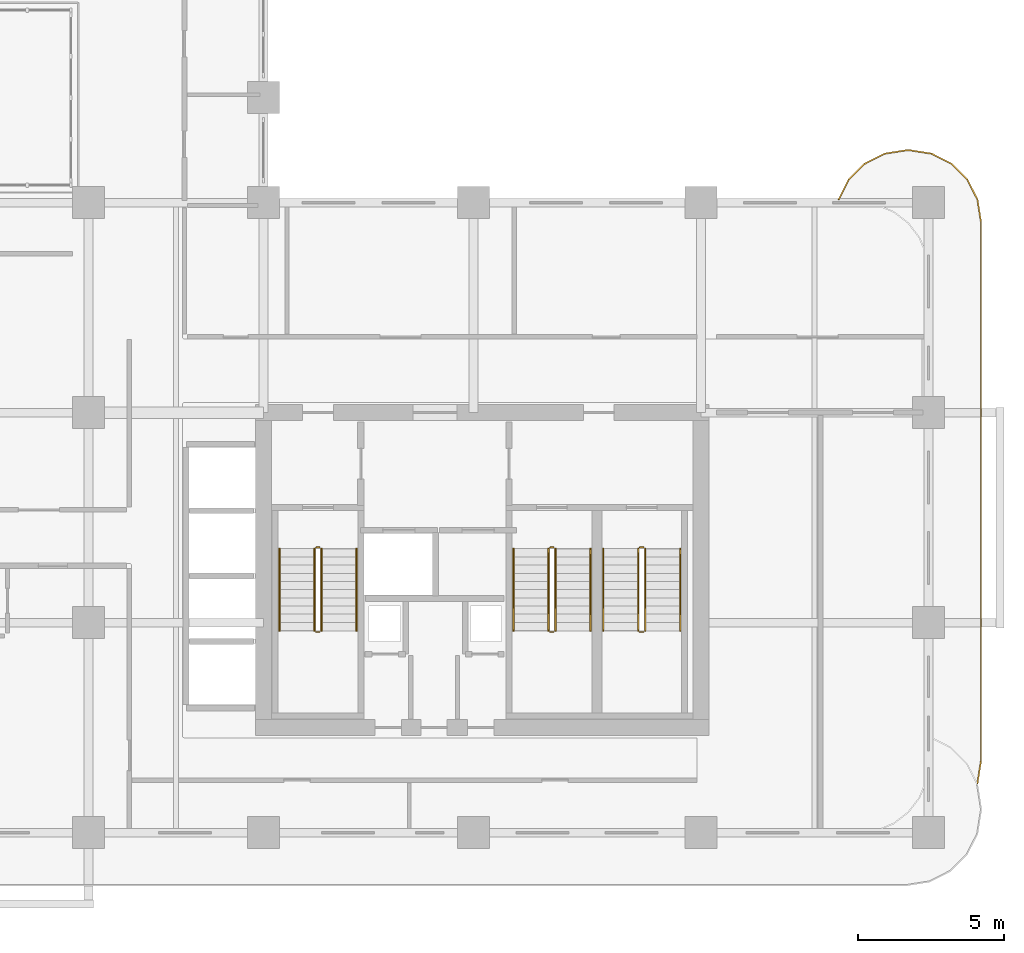
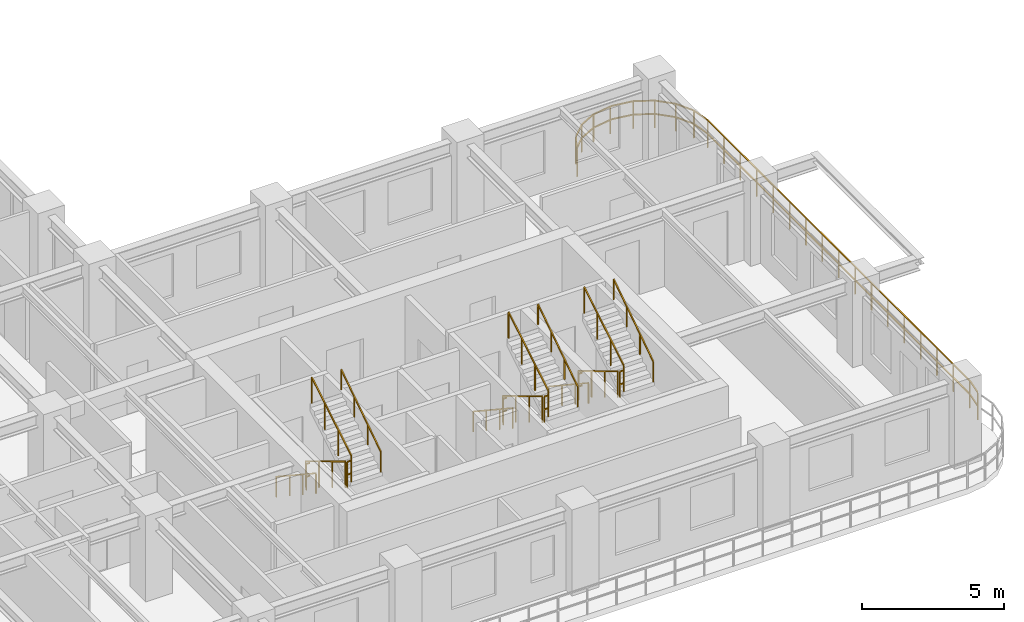
# One storey, part 20 of 22: 19 railings.
"""IFC4 building model written with IfcOpenShell, lengths in metres."""

from ifc_helpers import new_model, si_unit, derived_unit, direction, frame, origin, origin_2d, place, context, subcontext, project, spatial, rectangle, extrude, material, type_object, element, save


model = new_model("IFC4")

# Units and contexts
model_context = context("Model", 3, precision=1e-05, world=origin(), true_north=direction((0.0, 1.0)))
body_context = subcontext(model_context, "Body", "Model", "MODEL_VIEW")
ifc_project = project(units=[si_unit("LENGTHUNIT", "METRE"), si_unit("AREAUNIT", "SQUARE_METRE"), si_unit("VOLUMEUNIT", "CUBIC_METRE"), si_unit("PLANEANGLEUNIT", "RADIAN"), si_unit("MASSUNIT", "GRAM", prefix="KILO"), si_unit("THERMODYNAMICTEMPERATUREUNIT", "KELVIN"), si_unit("POWERUNIT", "WATT"), derived_unit("THERMALTRANSMITTANCEUNIT", [(si_unit("POWERUNIT", "WATT"), 1), (si_unit("AREAUNIT", "SQUARE_METRE"), -1), (si_unit("THERMODYNAMICTEMPERATUREUNIT", "KELVIN"), -1)])], contexts=[model_context])

# Site, building, storey
site_placement = place(None, origin())
site = spatial("IfcSite", under=ifc_project, at=site_placement, CompositionType="ELEMENT")
building_placement = place(site_placement, origin())
building = spatial("IfcBuilding", under=site, at=building_placement, Name="Zahravan Archway Hotel and Residences", CompositionType="ELEMENT")
storey_placement = place(building_placement, frame((0.0, 0.0, 95.300048828125)))
storey = spatial("IfcBuildingStorey", under=building, at=storey_placement, Name="L23", CompositionType="ELEMENT", Elevation=95.300048828125)

# Railings
ifc_material_1 = material(Name="Bronze & Laminated Glass Balustrade", Category="glass")
railing_type_1 = type_object("IfcRailingType", Name="RL-BAL-1200", PredefinedType="BALUSTRADE", material=ifc_material_1)
railing_1_placement = place(storey_placement, frame((54.52001953125, 21.70703125, 0.0)))
element("IfcRailing", 1, at=railing_1_placement, inside=storey, type_object=railing_type_1, Name="L23 Balustrade RL-SLB-BAL-L23-EA-1", PredefinedType="BALUSTRADE", context=body_context, shape_type="SweptSolid", body=[
    extrude(rectangle(XDim=0.048095703125, YDim=0.048095703125, at=origin_2d()), frame((0.0, 0.0, 1.17578125), z_axis=(0.453825591531, 0.891090529897, 0.0), x_axis=(-0.891090529897, 0.453825591531, 0.0)), (0.0, 0.0, 1.0), 0.7666015625),
    extrude(rectangle(XDim=0.048095703125, YDim=0.048095703125, at=origin_2d()), frame((0.0, 0.0, 0.60009765625), z_axis=(0.453825591531, 0.891090529897, 0.0), x_axis=(-0.891090529897, 0.453825591531, 0.0)), (0.0, 0.0, 1.0), 0.7666015625),
    extrude(rectangle(XDim=0.048095703125, YDim=0.048095703125, at=origin_2d()), frame((0.347900390625, 0.68310546875, 1.17578125), z_axis=(0.707106781187, 0.707106781187, 0.0), x_axis=(-0.707106781187, 0.707106781187, 0.0)), (0.0, 0.0, 1.0), 0.7666015625),
    extrude(rectangle(XDim=0.048095703125, YDim=0.048095703125, at=origin_2d()), frame((0.347900390625, 0.68310546875, 0.60009765625), z_axis=(0.707106781187, 0.707106781187, 0.0), x_axis=(-0.707106781187, 0.707106781187, 0.0)), (0.0, 0.0, 1.0), 0.7666015625),
    extrude(rectangle(XDim=0.048095703125, YDim=0.048095703125, at=origin_2d()), frame((0.889892578125, 1.22509765625, 1.17578125), z_axis=(0.891090529897, 0.453825591531, 0.0), x_axis=(-0.453825591531, 0.891090529897, 0.0)), (0.0, 0.0, 1.0), 0.7666015625),
    extrude(rectangle(XDim=0.048095703125, YDim=0.048095703125, at=origin_2d()), frame((0.889892578125, 1.22509765625, 0.60009765625), z_axis=(0.891090529897, 0.453825591531, 0.0), x_axis=(-0.453825591531, 0.891090529897, 0.0)), (0.0, 0.0, 1.0), 0.7666015625),
    extrude(rectangle(XDim=0.048095703125, YDim=0.048095703125, at=origin_2d()), frame((1.572998046875, 1.572998046875, 1.17578125), z_axis=(0.987695728695, 0.156387811283, 0.0), x_axis=(-0.156387811283, 0.987695728695, 0.0)), (0.0, 0.0, 1.0), 0.7666015625),
    extrude(rectangle(XDim=0.048095703125, YDim=0.048095703125, at=origin_2d()), frame((1.572998046875, 1.572998046875, 0.60009765625), z_axis=(0.987695728695, 0.156387811283, 0.0), x_axis=(-0.156387811283, 0.987695728695, 0.0)), (0.0, 0.0, 1.0), 0.7666015625),
    extrude(rectangle(XDim=0.048095703125, YDim=0.048095703125, at=origin_2d()), frame((2.330078125, 1.69287109375, 1.17578125), z_axis=(1.0, 0.0, 0.0), x_axis=(0.0, 1.0, 0.0)), (0.0, 0.0, 1.0), 0.099853515625),
    extrude(rectangle(XDim=0.048095703125, YDim=0.048095703125, at=origin_2d()), frame((2.330078125, 1.69287109375, 0.60009765625), z_axis=(1.0, 0.0, 0.0), x_axis=(0.0, 1.0, 0.0)), (0.0, 0.0, 1.0), 0.099853515625),
    extrude(rectangle(XDim=0.048095703125, YDim=0.048095703125, at=origin_2d()), frame((2.429931640625, 1.69287109375, 1.17578125), z_axis=(0.987695728695, -0.156387811283, 0.0), x_axis=(0.156387811283, 0.987695728695, 0.0)), (0.0, 0.0, 1.0), 0.7666015625),
    extrude(rectangle(XDim=0.048095703125, YDim=0.048095703125, at=origin_2d()), frame((2.429931640625, 1.69287109375, 0.60009765625), z_axis=(0.987695728695, -0.156387811283, 0.0), x_axis=(0.156387811283, 0.987695728695, 0.0)), (0.0, 0.0, 1.0), 0.7666015625),
    extrude(rectangle(XDim=0.048095703125, YDim=0.048095703125, at=origin_2d()), frame((3.18701171875, 1.572998046875, 1.17578125), z_axis=(0.891090529897, -0.453825591531, 0.0), x_axis=(0.453825591531, 0.891090529897, 0.0)), (0.0, 0.0, 1.0), 0.7666015625),
    extrude(rectangle(XDim=0.048095703125, YDim=0.048095703125, at=origin_2d()), frame((3.18701171875, 1.572998046875, 0.60009765625), z_axis=(0.891090529897, -0.453825591531, 0.0), x_axis=(0.453825591531, 0.891090529897, 0.0)), (0.0, 0.0, 1.0), 0.7666015625),
    extrude(rectangle(XDim=0.048095703125, YDim=0.048095703125, at=origin_2d()), frame((3.8701171875, 1.22509765625, 1.17578125), z_axis=(0.707106781187, -0.707106781187, 0.0), x_axis=(0.707106781187, 0.707106781187, 0.0)), (0.0, 0.0, 1.0), 0.7666015625),
    extrude(rectangle(XDim=0.048095703125, YDim=0.048095703125, at=origin_2d()), frame((3.8701171875, 1.22509765625, 0.60009765625), z_axis=(0.707106781187, -0.707106781187, 0.0), x_axis=(0.707106781187, 0.707106781187, 0.0)), (0.0, 0.0, 1.0), 0.7666015625),
    extrude(rectangle(XDim=0.048095703125, YDim=0.048095703125, at=origin_2d()), frame((4.412109375, 0.68310546875, 1.17578125), z_axis=(0.453825591531, -0.891090529897, 0.0), x_axis=(0.891090529897, 0.453825591531, 0.0)), (0.0, 0.0, 1.0), 0.7666015625),
    extrude(rectangle(XDim=0.048095703125, YDim=0.048095703125, at=origin_2d()), frame((4.412109375, 0.68310546875, 0.60009765625), z_axis=(0.453825591531, -0.891090529897, 0.0), x_axis=(0.891090529897, 0.453825591531, 0.0)), (0.0, 0.0, 1.0), 0.7666015625),
    extrude(rectangle(XDim=0.048095703125, YDim=0.048095703125, at=origin_2d()), frame((4.760009765625, 0.0, 1.17578125), z_axis=(0.156387811283, -0.987695728695, 0.0), x_axis=(0.987695728695, 0.156387811283, 0.0)), (0.0, 0.0, 1.0), 0.7666015625),
    extrude(rectangle(XDim=0.048095703125, YDim=0.048095703125, at=origin_2d()), frame((4.760009765625, 0.0, 0.60009765625), z_axis=(0.156387811283, -0.987695728695, 0.0), x_axis=(0.987695728695, 0.156387811283, 0.0)), (0.0, 0.0, 1.0), 0.7666015625),
    extrude(rectangle(XDim=0.048095703125, YDim=0.048095703125, at=origin_2d()), frame((4.8798828125, -0.757080078125, 1.17578125), z_axis=(0.0, -1.0, 0.0), x_axis=(1.0, 0.0, 0.0)), (0.0, 0.0, 1.0), 18.5),
    extrude(rectangle(XDim=0.048095703125, YDim=0.048095703125, at=origin_2d()), frame((4.8798828125, -0.757080078125, 0.60009765625), z_axis=(0.0, -1.0, 0.0), x_axis=(1.0, 0.0, 0.0)), (0.0, 0.0, 1.0), 18.5),
    extrude(rectangle(XDim=0.048095703125, YDim=0.048095703125, at=origin_2d()), frame((4.8798828125, -19.257080078125, 1.17578125), z_axis=(-0.156387811283, -0.987695728695, 0.0), x_axis=(0.987695728695, -0.156387811283, 0.0)), (0.0, 0.0, 1.0), 0.7666015625),
    extrude(rectangle(XDim=0.048095703125, YDim=0.048095703125, at=origin_2d()), frame((4.8798828125, -19.257080078125, 0.60009765625), z_axis=(-0.156387811283, -0.987695728695, 0.0), x_axis=(0.987695728695, -0.156387811283, 0.0)), (0.0, 0.0, 1.0), 0.7666015625),
    extrude(rectangle(XDim=0.0419921875, YDim=0.0419921875, at=origin_2d()), origin(), (0.0, 0.0, 1.0), 1.15185546875),
    extrude(rectangle(XDim=0.0419921875, YDim=0.0419921875, at=origin_2d()), frame((0.347900390625, 0.68310546875, 0.0)), (0.0, 0.0, 1.0), 1.15185546875),
    extrude(rectangle(XDim=0.0419921875, YDim=0.0419921875, at=origin_2d()), frame((0.889892578125, 1.22509765625, 0.0)), (0.0, 0.0, 1.0), 1.15185546875),
    extrude(rectangle(XDim=0.0419921875, YDim=0.0419921875, at=origin_2d()), frame((1.572998046875, 1.572998046875, 0.0)), (0.0, 0.0, 1.0), 1.15185546875),
    extrude(rectangle(XDim=0.0419921875, YDim=0.0419921875, at=origin_2d()), frame((2.330078125, 1.69287109375, 0.0)), (0.0, 0.0, 1.0), 1.15185546875),
    extrude(rectangle(XDim=0.0419921875, YDim=0.0419921875, at=origin_2d()), frame((3.18701171875, 1.572998046875, 0.0)), (0.0, 0.0, 1.0), 1.15185546875),
    extrude(rectangle(XDim=0.0419921875, YDim=0.0419921875, at=origin_2d()), frame((3.8701171875, 1.22509765625, 0.0)), (0.0, 0.0, 1.0), 1.15185546875),
    extrude(rectangle(XDim=0.0419921875, YDim=0.0419921875, at=origin_2d()), frame((4.412109375, 0.68310546875, 0.0)), (0.0, 0.0, 1.0), 1.15185546875),
    extrude(rectangle(XDim=0.0419921875, YDim=0.0419921875, at=origin_2d()), frame((4.760009765625, 0.0, 0.0)), (0.0, 0.0, 1.0), 1.15185546875),
    extrude(rectangle(XDim=0.0419921875, YDim=0.0419921875, at=origin_2d()), frame((4.8798828125, -0.757080078125, 0.0)), (0.0, 0.0, 1.0), 1.15185546875),
    extrude(rectangle(XDim=0.0419921875, YDim=0.0419921875, at=origin_2d()), frame((4.8798828125, -1.913330078125, 0.0)), (0.0, 0.0, 1.0), 1.15185546875),
    extrude(rectangle(XDim=0.0419921875, YDim=0.0419921875, at=origin_2d()), frame((4.8798828125, -3.069580078125, 0.0)), (0.0, 0.0, 1.0), 1.15185546875),
    extrude(rectangle(XDim=0.0419921875, YDim=0.0419921875, at=origin_2d()), frame((4.8798828125, -4.225830078125, 0.0)), (0.0, 0.0, 1.0), 1.15185546875),
    extrude(rectangle(XDim=0.0419921875, YDim=0.0419921875, at=origin_2d()), frame((4.8798828125, -5.382080078125, 0.0)), (0.0, 0.0, 1.0), 1.15185546875),
    extrude(rectangle(XDim=0.0419921875, YDim=0.0419921875, at=origin_2d()), frame((4.8798828125, -6.538330078125, 0.0)), (0.0, 0.0, 1.0), 1.15185546875),
    extrude(rectangle(XDim=0.0419921875, YDim=0.0419921875, at=origin_2d()), frame((4.8798828125, -7.694580078125, 0.0)), (0.0, 0.0, 1.0), 1.15185546875),
    extrude(rectangle(XDim=0.0419921875, YDim=0.0419921875, at=origin_2d()), frame((4.8798828125, -8.850830078125, 0.0)), (0.0, 0.0, 1.0), 1.15185546875),
    extrude(rectangle(XDim=0.0419921875, YDim=0.0419921875, at=origin_2d()), frame((4.8798828125, -10.007080078125, 0.0)), (0.0, 0.0, 1.0), 1.15185546875),
    extrude(rectangle(XDim=0.0419921875, YDim=0.0419921875, at=origin_2d()), frame((4.8798828125, -11.163330078125, 0.0)), (0.0, 0.0, 1.0), 1.15185546875),
    extrude(rectangle(XDim=0.0419921875, YDim=0.0419921875, at=origin_2d()), frame((4.8798828125, -12.319580078125, 0.0)), (0.0, 0.0, 1.0), 1.15185546875),
    extrude(rectangle(XDim=0.0419921875, YDim=0.0419921875, at=origin_2d()), frame((4.8798828125, -13.475830078125, 0.0)), (0.0, 0.0, 1.0), 1.15185546875),
    extrude(rectangle(XDim=0.0419921875, YDim=0.0419921875, at=origin_2d()), frame((4.8798828125, -14.632080078125, 0.0)), (0.0, 0.0, 1.0), 1.15185546875),
    extrude(rectangle(XDim=0.0419921875, YDim=0.0419921875, at=origin_2d()), frame((4.8798828125, -15.788330078125, 0.0)), (0.0, 0.0, 1.0), 1.15185546875),
    extrude(rectangle(XDim=0.0419921875, YDim=0.0419921875, at=origin_2d()), frame((4.8798828125, -16.944580078125, 0.0)), (0.0, 0.0, 1.0), 1.15185546875),
    extrude(rectangle(XDim=0.0419921875, YDim=0.0419921875, at=origin_2d()), frame((4.8798828125, -18.100830078125, 0.0)), (0.0, 0.0, 1.0), 1.15185546875),
    extrude(rectangle(XDim=0.0419921875, YDim=0.0419921875, at=origin_2d()), frame((4.8798828125, -19.257080078125, 0.0)), (0.0, 0.0, 1.0), 1.15185546875),
    extrude(rectangle(XDim=0.0419921875, YDim=0.0419921875, at=origin_2d()), frame((4.760009765625, -20.01416015625, 0.0)), (0.0, 0.0, 1.0), 1.15185546875),
])
ifc_material_2 = material(Name="Painted Tubular Steel", Category="steel")
railing_type_2 = type_object("IfcRailingType", Name="RL-STG-1150", PredefinedType="GUARDRAIL", material=ifc_material_2)
railing_2_placement = place(storey_placement, frame((36.550048828125, 9.72998046875, 0.168212890625)))
element("IfcRailing", 2, at=railing_2_placement, inside=storey, type_object=railing_type_2, Name="L23 ST-A1 stair guard 1", PredefinedType="GUARDRAIL", context=body_context, shape_type="SweptSolid", body=[
    extrude(rectangle(XDim=0.048095703125, YDim=0.048095703125, at=origin_2d()), frame((0.0, 0.0, 1.1259765625), z_axis=(0.0, -0.857275202839, 0.514858452973), x_axis=(1.0, 0.0, 0.0)), (0.0, 0.0, 1.0), 3.26611328125),
    extrude(rectangle(XDim=0.0419921875, YDim=0.0419921875, at=origin_2d()), origin(), (0.0, 0.0, 1.0), 1.101806640625),
    extrude(rectangle(XDim=0.0419921875, YDim=0.0419921875, at=origin_2d()), frame((0.0, -0.933349609375, 0.560546875)), (0.0, 0.0, 1.0), 1.101806640625),
    extrude(rectangle(XDim=0.0419921875, YDim=0.0419921875, at=origin_2d()), frame((0.0, -1.86669921875, 1.12109375)), (0.0, 0.0, 1.0), 1.101806640625),
    extrude(rectangle(XDim=0.0419921875, YDim=0.0419921875, at=origin_2d()), frame((0.0, -2.800048828125, 1.681640625)), (0.0, 0.0, 1.0), 1.101806640625),
])
railing_3_placement = place(storey_placement, frame((36.60009765625, 6.8798828125, 1.849853515625)))
element("IfcRailing", 3, at=railing_3_placement, inside=storey, type_object=railing_type_2, Name="L23 ST-A1 stair guard 2", PredefinedType="GUARDRAIL", context=body_context, shape_type="SweptSolid", body=[
    extrude(rectangle(XDim=0.048095703125, YDim=0.048095703125, at=origin_2d()), frame((0.0, 0.0, 1.1259765625), z_axis=(1.0, 0.0, 0.0), x_axis=(0.0, 1.0, 0.0)), (0.0, 0.0, 1.0), 0.139892578125),
    extrude(rectangle(XDim=0.048095703125, YDim=0.048095703125, at=origin_2d()), frame((0.0, 0.0, 0.574951171875), z_axis=(1.0, 0.0, 0.0), x_axis=(0.0, 1.0, 0.0)), (0.0, 0.0, 1.0), 0.139892578125),
    extrude(rectangle(XDim=0.0419921875, YDim=0.0419921875, at=origin_2d()), origin(), (0.0, 0.0, 1.0), 1.101806640625),
])
railing_4_placement = place(storey_placement, frame((36.7900390625, 6.929931640625, 2.01806640625)))
element("IfcRailing", 4, at=railing_4_placement, inside=storey, type_object=railing_type_2, Name="L23 ST-A1 stair guard 3", PredefinedType="GUARDRAIL", context=body_context, shape_type="SweptSolid", body=[
    extrude(rectangle(XDim=0.048095703125, YDim=0.048095703125, at=origin_2d()), frame((0.0, 0.0, 1.1259765625), z_axis=(0.0, 0.857242210791, 0.514913383045), x_axis=(-1.0, 0.0, 0.0)), (0.0, 0.0, 1.0), 3.266357421875),
    extrude(rectangle(XDim=0.0419921875, YDim=0.0419921875, at=origin_2d()), origin(), (0.0, 0.0, 1.0), 1.101806640625),
    extrude(rectangle(XDim=0.0419921875, YDim=0.0419921875, at=origin_2d()), frame((0.0, 0.933349609375, 0.560546875)), (0.0, 0.0, 1.0), 1.101806640625),
    extrude(rectangle(XDim=0.0419921875, YDim=0.0419921875, at=origin_2d()), frame((0.0, 1.86669921875, 1.121337890625)), (0.0, 0.0, 1.0), 1.101806640625),
    extrude(rectangle(XDim=0.0419921875, YDim=0.0419921875, at=origin_2d()), frame((0.0, 2.800048828125, 1.681884765625)), (0.0, 0.0, 1.0), 1.101806640625),
])
railing_5_placement = place(storey_placement, frame((36.60009765625, 9.780029296875, 0.0)))
element("IfcRailing", 5, at=railing_5_placement, inside=storey, type_object=railing_type_2, Name="L23 ST-A1 stair guard 4", PredefinedType="GUARDRAIL", context=body_context, shape_type="SweptSolid", body=[
    extrude(rectangle(XDim=0.048095703125, YDim=0.048095703125, at=origin_2d()), frame((0.0, 0.0, 1.1259765625), z_axis=(1.0, 0.0, 0.0), x_axis=(0.0, 1.0, 0.0)), (0.0, 0.0, 1.0), 0.139892578125),
    extrude(rectangle(XDim=0.048095703125, YDim=0.048095703125, at=origin_2d()), frame((0.0, 0.0, 0.574951171875), z_axis=(1.0, 0.0, 0.0), x_axis=(0.0, 1.0, 0.0)), (0.0, 0.0, 1.0), 0.139892578125),
    extrude(rectangle(XDim=0.0419921875, YDim=0.0419921875, at=origin_2d()), origin(), (0.0, 0.0, 1.0), 1.101806640625),
])
railing_6_placement = place(storey_placement, frame((44.570068359375, 9.72998046875, 0.168212890625)))
element("IfcRailing", 6, at=railing_6_placement, inside=storey, type_object=railing_type_2, Name="L23 ST-A2 stair guard 1", PredefinedType="GUARDRAIL", context=body_context, shape_type="SweptSolid", body=[
    extrude(rectangle(XDim=0.048095703125, YDim=0.048095703125, at=origin_2d()), frame((0.0, 0.0, 1.1259765625), z_axis=(0.0, -0.857275202839, 0.514858452973), x_axis=(1.0, 0.0, 0.0)), (0.0, 0.0, 1.0), 3.26611328125),
    extrude(rectangle(XDim=0.0419921875, YDim=0.0419921875, at=origin_2d()), origin(), (0.0, 0.0, 1.0), 1.101806640625),
    extrude(rectangle(XDim=0.0419921875, YDim=0.0419921875, at=origin_2d()), frame((0.0, -0.933349609375, 0.560546875)), (0.0, 0.0, 1.0), 1.101806640625),
    extrude(rectangle(XDim=0.0419921875, YDim=0.0419921875, at=origin_2d()), frame((0.0, -1.86669921875, 1.12109375)), (0.0, 0.0, 1.0), 1.101806640625),
    extrude(rectangle(XDim=0.0419921875, YDim=0.0419921875, at=origin_2d()), frame((0.0, -2.800048828125, 1.681640625)), (0.0, 0.0, 1.0), 1.101806640625),
])
railing_7_placement = place(storey_placement, frame((44.6201171875, 6.8798828125, 1.849853515625)))
element("IfcRailing", 7, at=railing_7_placement, inside=storey, type_object=railing_type_2, Name="L23 ST-A2 stair guard 2", PredefinedType="GUARDRAIL", context=body_context, shape_type="SweptSolid", body=[
    extrude(rectangle(XDim=0.048095703125, YDim=0.048095703125, at=origin_2d()), frame((0.0, 0.0, 1.1259765625), z_axis=(1.0, 0.0, 0.0), x_axis=(0.0, 1.0, 0.0)), (0.0, 0.0, 1.0), 0.139892578125),
    extrude(rectangle(XDim=0.048095703125, YDim=0.048095703125, at=origin_2d()), frame((0.0, 0.0, 0.574951171875), z_axis=(1.0, 0.0, 0.0), x_axis=(0.0, 1.0, 0.0)), (0.0, 0.0, 1.0), 0.139892578125),
    extrude(rectangle(XDim=0.0419921875, YDim=0.0419921875, at=origin_2d()), origin(), (0.0, 0.0, 1.0), 1.101806640625),
])
railing_8_placement = place(storey_placement, frame((44.81005859375, 6.929931640625, 2.01806640625)))
element("IfcRailing", 8, at=railing_8_placement, inside=storey, type_object=railing_type_2, Name="L23 ST-A2 stair guard 3", PredefinedType="GUARDRAIL", context=body_context, shape_type="SweptSolid", body=[
    extrude(rectangle(XDim=0.048095703125, YDim=0.048095703125, at=origin_2d()), frame((0.0, 0.0, 1.1259765625), z_axis=(0.0, 0.857242210791, 0.514913383045), x_axis=(-1.0, 0.0, 0.0)), (0.0, 0.0, 1.0), 3.266357421875),
    extrude(rectangle(XDim=0.0419921875, YDim=0.0419921875, at=origin_2d()), origin(), (0.0, 0.0, 1.0), 1.101806640625),
    extrude(rectangle(XDim=0.0419921875, YDim=0.0419921875, at=origin_2d()), frame((0.0, 0.933349609375, 0.560546875)), (0.0, 0.0, 1.0), 1.101806640625),
    extrude(rectangle(XDim=0.0419921875, YDim=0.0419921875, at=origin_2d()), frame((0.0, 1.86669921875, 1.121337890625)), (0.0, 0.0, 1.0), 1.101806640625),
    extrude(rectangle(XDim=0.0419921875, YDim=0.0419921875, at=origin_2d()), frame((0.0, 2.800048828125, 1.681884765625)), (0.0, 0.0, 1.0), 1.101806640625),
])
railing_9_placement = place(storey_placement, frame((44.6201171875, 9.780029296875, 0.0)))
element("IfcRailing", 9, at=railing_9_placement, inside=storey, type_object=railing_type_2, Name="L23 ST-A2 stair guard 4", PredefinedType="GUARDRAIL", context=body_context, shape_type="SweptSolid", body=[
    extrude(rectangle(XDim=0.048095703125, YDim=0.048095703125, at=origin_2d()), frame((0.0, 0.0, 1.1259765625), z_axis=(1.0, 0.0, 0.0), x_axis=(0.0, 1.0, 0.0)), (0.0, 0.0, 1.0), 0.139892578125),
    extrude(rectangle(XDim=0.048095703125, YDim=0.048095703125, at=origin_2d()), frame((0.0, 0.0, 0.574951171875), z_axis=(1.0, 0.0, 0.0), x_axis=(0.0, 1.0, 0.0)), (0.0, 0.0, 1.0), 0.139892578125),
    extrude(rectangle(XDim=0.0419921875, YDim=0.0419921875, at=origin_2d()), origin(), (0.0, 0.0, 1.0), 1.101806640625),
])
railing_10_placement = place(storey_placement, frame((47.64990234375, 9.72998046875, 0.168212890625)))
element("IfcRailing", 10, at=railing_10_placement, inside=storey, type_object=railing_type_2, Name="L23 ST-A3 stair guard 1", PredefinedType="GUARDRAIL", context=body_context, shape_type="SweptSolid", body=[
    extrude(rectangle(XDim=0.048095703125, YDim=0.048095703125, at=origin_2d()), frame((0.0, 0.0, 1.1259765625), z_axis=(0.0, -0.857275202839, 0.514858452973), x_axis=(1.0, 0.0, 0.0)), (0.0, 0.0, 1.0), 3.26611328125),
    extrude(rectangle(XDim=0.0419921875, YDim=0.0419921875, at=origin_2d()), origin(), (0.0, 0.0, 1.0), 1.101806640625),
    extrude(rectangle(XDim=0.0419921875, YDim=0.0419921875, at=origin_2d()), frame((0.0, -0.933349609375, 0.560546875)), (0.0, 0.0, 1.0), 1.101806640625),
    extrude(rectangle(XDim=0.0419921875, YDim=0.0419921875, at=origin_2d()), frame((0.0, -1.86669921875, 1.12109375)), (0.0, 0.0, 1.0), 1.101806640625),
    extrude(rectangle(XDim=0.0419921875, YDim=0.0419921875, at=origin_2d()), frame((0.0, -2.800048828125, 1.681640625)), (0.0, 0.0, 1.0), 1.101806640625),
])
railing_11_placement = place(storey_placement, frame((47.699951171875, 6.8798828125, 1.849853515625)))
element("IfcRailing", 11, at=railing_11_placement, inside=storey, type_object=railing_type_2, Name="L23 ST-A3 stair guard 2", PredefinedType="GUARDRAIL", context=body_context, shape_type="SweptSolid", body=[
    extrude(rectangle(XDim=0.048095703125, YDim=0.048095703125, at=origin_2d()), frame((0.0, 0.0, 1.1259765625), z_axis=(1.0, 0.0, 0.0), x_axis=(0.0, 1.0, 0.0)), (0.0, 0.0, 1.0), 0.14013671875),
    extrude(rectangle(XDim=0.048095703125, YDim=0.048095703125, at=origin_2d()), frame((0.0, 0.0, 0.574951171875), z_axis=(1.0, 0.0, 0.0), x_axis=(0.0, 1.0, 0.0)), (0.0, 0.0, 1.0), 0.14013671875),
    extrude(rectangle(XDim=0.0419921875, YDim=0.0419921875, at=origin_2d()), origin(), (0.0, 0.0, 1.0), 1.101806640625),
])
railing_12_placement = place(storey_placement, frame((47.889892578125, 6.929931640625, 2.01806640625)))
element("IfcRailing", 12, at=railing_12_placement, inside=storey, type_object=railing_type_2, Name="L23 ST-A3 stair guard 3", PredefinedType="GUARDRAIL", context=body_context, shape_type="SweptSolid", body=[
    extrude(rectangle(XDim=0.048095703125, YDim=0.048095703125, at=origin_2d()), frame((0.0, 0.0, 1.1259765625), z_axis=(0.0, 0.857242210791, 0.514913383045), x_axis=(-1.0, 0.0, 0.0)), (0.0, 0.0, 1.0), 3.266357421875),
    extrude(rectangle(XDim=0.0419921875, YDim=0.0419921875, at=origin_2d()), origin(), (0.0, 0.0, 1.0), 1.101806640625),
    extrude(rectangle(XDim=0.0419921875, YDim=0.0419921875, at=origin_2d()), frame((0.0, 0.933349609375, 0.560546875)), (0.0, 0.0, 1.0), 1.101806640625),
    extrude(rectangle(XDim=0.0419921875, YDim=0.0419921875, at=origin_2d()), frame((0.0, 1.86669921875, 1.121337890625)), (0.0, 0.0, 1.0), 1.101806640625),
    extrude(rectangle(XDim=0.0419921875, YDim=0.0419921875, at=origin_2d()), frame((0.0, 2.800048828125, 1.681884765625)), (0.0, 0.0, 1.0), 1.101806640625),
])
railing_13_placement = place(storey_placement, frame((47.699951171875, 9.780029296875, 0.0)))
element("IfcRailing", 13, at=railing_13_placement, inside=storey, type_object=railing_type_2, Name="L23 ST-A3 stair guard 4", PredefinedType="GUARDRAIL", context=body_context, shape_type="SweptSolid", body=[
    extrude(rectangle(XDim=0.048095703125, YDim=0.048095703125, at=origin_2d()), frame((0.0, 0.0, 1.1259765625), z_axis=(1.0, 0.0, 0.0), x_axis=(0.0, 1.0, 0.0)), (0.0, 0.0, 1.0), 0.14013671875),
    extrude(rectangle(XDim=0.048095703125, YDim=0.048095703125, at=origin_2d()), frame((0.0, 0.0, 0.574951171875), z_axis=(1.0, 0.0, 0.0), x_axis=(0.0, 1.0, 0.0)), (0.0, 0.0, 1.0), 0.14013671875),
    extrude(rectangle(XDim=0.0419921875, YDim=0.0419921875, at=origin_2d()), origin(), (0.0, 0.0, 1.0), 1.101806640625),
])
ifc_material_3 = material(Name="Brushed Stainless Steel", Category="steel")
railing_type_3 = type_object("IfcRailingType", Name="RL-STH-900", PredefinedType="HANDRAIL", material=ifc_material_3)
railing_14_placement = place(storey_placement, frame((35.35009765625, 9.72998046875, 0.168212890625)))
element("IfcRailing", 14, at=railing_14_placement, inside=storey, type_object=railing_type_3, Name="L23 ST-A1 stair handrail 1", PredefinedType="HANDRAIL", context=body_context, shape_type="SweptSolid", body=[
    extrude(rectangle(XDim=0.048095703125, YDim=0.048095703125, at=origin_2d()), frame((0.0, 0.0, 0.8759765625), z_axis=(0.0, -0.83435981716, 0.551220187865), x_axis=(1.0, 0.0, 0.0)), (0.0, 0.0, 1.0), 3.35595703125),
    extrude(rectangle(XDim=0.0419921875, YDim=0.0419921875, at=origin_2d()), origin(), (0.0, 0.0, 1.0), 0.851806640625),
    extrude(rectangle(XDim=0.0419921875, YDim=0.0419921875, at=origin_2d()), frame((0.0, -0.933349609375, 0.61669921875)), (0.0, 0.0, 1.0), 0.851806640625),
    extrude(rectangle(XDim=0.0419921875, YDim=0.0419921875, at=origin_2d()), frame((0.0, -1.86669921875, 1.233154296875)), (0.0, 0.0, 1.0), 0.851806640625),
    extrude(rectangle(XDim=0.0419921875, YDim=0.0419921875, at=origin_2d()), frame((0.0, -2.800048828125, 1.849853515625)), (0.0, 0.0, 1.0), 0.851806640625),
])
railing_15_placement = place(storey_placement, frame((37.989990234375, 6.929931640625, 2.01806640625)))
element("IfcRailing", 15, at=railing_15_placement, inside=storey, type_object=railing_type_3, Name="L23 ST-A1 stair handrail 2", PredefinedType="HANDRAIL", context=body_context, shape_type="SweptSolid", body=[
    extrude(rectangle(XDim=0.048095703125, YDim=0.048095703125, at=origin_2d()), frame((0.0, 0.0, 0.8759765625), z_axis=(0.0, 0.834326358476, 0.551270829586), x_axis=(-1.0, 0.0, 0.0)), (0.0, 0.0, 1.0), 3.35595703125),
    extrude(rectangle(XDim=0.0419921875, YDim=0.0419921875, at=origin_2d()), origin(), (0.0, 0.0, 1.0), 0.851806640625),
    extrude(rectangle(XDim=0.0419921875, YDim=0.0419921875, at=origin_2d()), frame((0.0, 0.933349609375, 0.61669921875)), (0.0, 0.0, 1.0), 0.851806640625),
    extrude(rectangle(XDim=0.0419921875, YDim=0.0419921875, at=origin_2d()), frame((0.0, 1.86669921875, 1.2333984375)), (0.0, 0.0, 1.0), 0.851806640625),
    extrude(rectangle(XDim=0.0419921875, YDim=0.0419921875, at=origin_2d()), frame((0.0, 2.800048828125, 1.85009765625)), (0.0, 0.0, 1.0), 0.851806640625),
])
railing_16_placement = place(storey_placement, frame((43.3701171875, 9.72998046875, 0.168212890625)))
element("IfcRailing", 16, at=railing_16_placement, inside=storey, type_object=railing_type_3, Name="L23 ST-A2 stair handrail 1", PredefinedType="HANDRAIL", context=body_context, shape_type="SweptSolid", body=[
    extrude(rectangle(XDim=0.048095703125, YDim=0.048095703125, at=origin_2d()), frame((0.0, 0.0, 0.8759765625), z_axis=(0.0, -0.83435981716, 0.551220187865), x_axis=(1.0, 0.0, 0.0)), (0.0, 0.0, 1.0), 3.35595703125),
    extrude(rectangle(XDim=0.0419921875, YDim=0.0419921875, at=origin_2d()), origin(), (0.0, 0.0, 1.0), 0.851806640625),
    extrude(rectangle(XDim=0.0419921875, YDim=0.0419921875, at=origin_2d()), frame((0.0, -0.933349609375, 0.61669921875)), (0.0, 0.0, 1.0), 0.851806640625),
    extrude(rectangle(XDim=0.0419921875, YDim=0.0419921875, at=origin_2d()), frame((0.0, -1.86669921875, 1.233154296875)), (0.0, 0.0, 1.0), 0.851806640625),
    extrude(rectangle(XDim=0.0419921875, YDim=0.0419921875, at=origin_2d()), frame((0.0, -2.800048828125, 1.849853515625)), (0.0, 0.0, 1.0), 0.851806640625),
])
railing_17_placement = place(storey_placement, frame((46.010009765625, 6.929931640625, 2.01806640625)))
element("IfcRailing", 17, at=railing_17_placement, inside=storey, type_object=railing_type_3, Name="L23 ST-A2 stair handrail 2", PredefinedType="HANDRAIL", context=body_context, shape_type="SweptSolid", body=[
    extrude(rectangle(XDim=0.048095703125, YDim=0.048095703125, at=origin_2d()), frame((0.0, 0.0, 0.8759765625), z_axis=(0.0, 0.834326358476, 0.551270829586), x_axis=(-1.0, 0.0, 0.0)), (0.0, 0.0, 1.0), 3.35595703125),
    extrude(rectangle(XDim=0.0419921875, YDim=0.0419921875, at=origin_2d()), origin(), (0.0, 0.0, 1.0), 0.851806640625),
    extrude(rectangle(XDim=0.0419921875, YDim=0.0419921875, at=origin_2d()), frame((0.0, 0.933349609375, 0.61669921875)), (0.0, 0.0, 1.0), 0.851806640625),
    extrude(rectangle(XDim=0.0419921875, YDim=0.0419921875, at=origin_2d()), frame((0.0, 1.86669921875, 1.2333984375)), (0.0, 0.0, 1.0), 0.851806640625),
    extrude(rectangle(XDim=0.0419921875, YDim=0.0419921875, at=origin_2d()), frame((0.0, 2.800048828125, 1.85009765625)), (0.0, 0.0, 1.0), 0.851806640625),
])
railing_18_placement = place(storey_placement, frame((46.449951171875, 9.72998046875, 0.168212890625)))
element("IfcRailing", 18, at=railing_18_placement, inside=storey, type_object=railing_type_3, Name="L23 ST-A3 stair handrail 1", PredefinedType="HANDRAIL", context=body_context, shape_type="SweptSolid", body=[
    extrude(rectangle(XDim=0.048095703125, YDim=0.048095703125, at=origin_2d()), frame((0.0, 0.0, 0.8759765625), z_axis=(0.0, -0.83435981716, 0.551220187865), x_axis=(1.0, 0.0, 0.0)), (0.0, 0.0, 1.0), 3.35595703125),
    extrude(rectangle(XDim=0.0419921875, YDim=0.0419921875, at=origin_2d()), origin(), (0.0, 0.0, 1.0), 0.851806640625),
    extrude(rectangle(XDim=0.0419921875, YDim=0.0419921875, at=origin_2d()), frame((0.0, -0.933349609375, 0.61669921875)), (0.0, 0.0, 1.0), 0.851806640625),
    extrude(rectangle(XDim=0.0419921875, YDim=0.0419921875, at=origin_2d()), frame((0.0, -1.86669921875, 1.233154296875)), (0.0, 0.0, 1.0), 0.851806640625),
    extrude(rectangle(XDim=0.0419921875, YDim=0.0419921875, at=origin_2d()), frame((0.0, -2.800048828125, 1.849853515625)), (0.0, 0.0, 1.0), 0.851806640625),
])
railing_19_placement = place(storey_placement, frame((49.090087890625, 6.929931640625, 2.01806640625)))
element("IfcRailing", 19, at=railing_19_placement, inside=storey, type_object=railing_type_3, Name="L23 ST-A3 stair handrail 2", PredefinedType="HANDRAIL", context=body_context, shape_type="SweptSolid", body=[
    extrude(rectangle(XDim=0.048095703125, YDim=0.048095703125, at=origin_2d()), frame((0.0, 0.0, 0.8759765625), z_axis=(0.0, 0.834326358476, 0.551270829586), x_axis=(-1.0, 0.0, 0.0)), (0.0, 0.0, 1.0), 3.35595703125),
    extrude(rectangle(XDim=0.0419921875, YDim=0.0419921875, at=origin_2d()), origin(), (0.0, 0.0, 1.0), 0.851806640625),
    extrude(rectangle(XDim=0.0419921875, YDim=0.0419921875, at=origin_2d()), frame((0.0, 0.933349609375, 0.61669921875)), (0.0, 0.0, 1.0), 0.851806640625),
    extrude(rectangle(XDim=0.0419921875, YDim=0.0419921875, at=origin_2d()), frame((0.0, 1.86669921875, 1.2333984375)), (0.0, 0.0, 1.0), 0.851806640625),
    extrude(rectangle(XDim=0.0419921875, YDim=0.0419921875, at=origin_2d()), frame((0.0, 2.800048828125, 1.85009765625)), (0.0, 0.0, 1.0), 0.851806640625),
])

save(model, "model.ifc")
